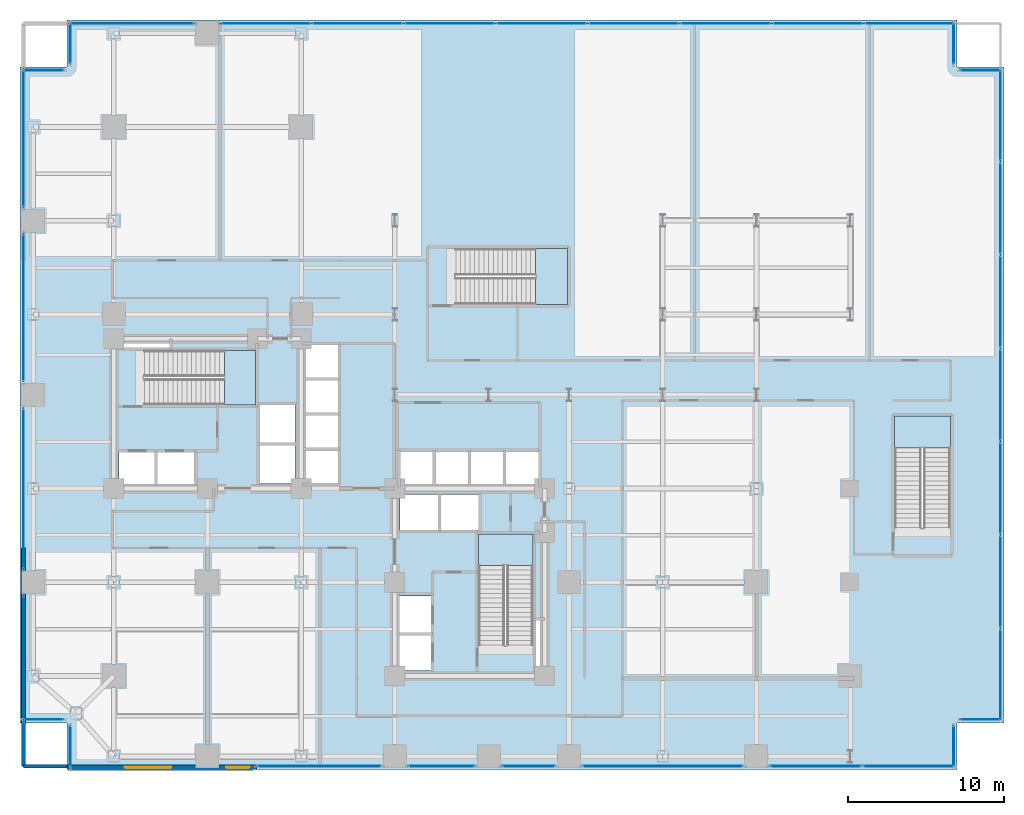
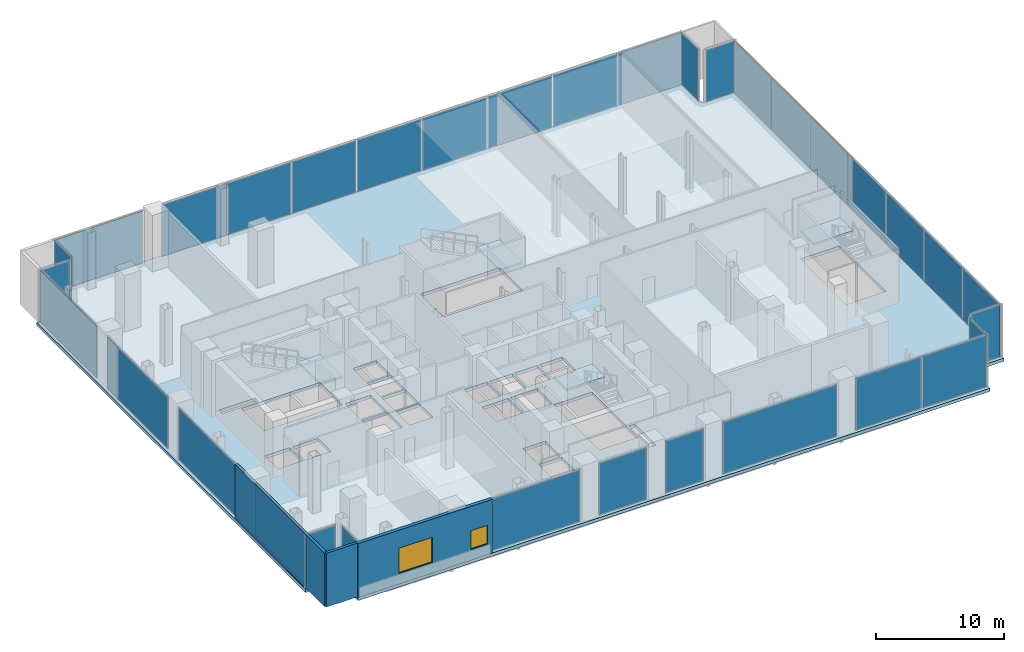
# One storey, part 20 of 27: 34 plates, 5 slabs, 3 walls, 2 windows, 2 openings, 24 elements without a shape of their own.
"""IFC4 building model written with IfcOpenShell, lengths in metres."""

import ifcopenshell
import ifcopenshell.guid

model = None  # the IFC model being written
_history = None  # IfcOwnerHistory: only IFC2X3 demands one
_inside = {}  # id of a spatial element -> (the spatial element, [elements in it])
_under = {}  # id of a project, library or spatial element -> (it, [spatial elements below it])
_declared = {}  # id of a project -> (the project, [libraries it declares])
_typed = {}  # id of a type object -> (the type object, [elements of that type])
_made_of = {}  # id of a material, layer set ... -> (it, [elements and type objects made of it])


def new_model(schema):
    """Start an empty IFC model of exactly this schema.

    Asked for "IFC4X3", IfcOpenShell would pick the latest addendum, in which some entities
    have other attributes; the version numbers below select the first issue.
    IFC2X3 requires an IfcOwnerHistory on every rooted entity: one is made here for all.
    """
    global model, _history
    if schema == "IFC4X3":
        model = ifcopenshell.file(schema_version=(4, 3, 0, 0))
    else:
        model = ifcopenshell.file(schema=schema)
    _inside.clear()
    _under.clear()
    _declared.clear()
    _typed.clear()
    _made_of.clear()
    _history = None
    if model.schema == "IFC2X3":
        org = make("IfcOrganization", Name="unknown")
        user = make(
            "IfcPersonAndOrganization",
            ThePerson=make("IfcPerson", FamilyName="unknown"),
            TheOrganization=org,
        )
        app = make(
            "IfcApplication",
            ApplicationDeveloper=org,
            Version="unknown",
            ApplicationFullName="unknown",
            ApplicationIdentifier="unknown",
        )
        _history = make(
            "IfcOwnerHistory",
            OwningUser=user,
            OwningApplication=app,
            ChangeAction="ADDED",
            CreationDate=0,
        )
    return model


def make(cls, **values):
    """One entity of the class cls with the attributes given. An attribute that is None is left unset."""
    return model.create_entity(
        cls, **{name: value for name, value in values.items() if value is not None}
    )


def rooted(cls, **values):
    """An entity with a GlobalId (a new one), such as an element, a storey or a relation."""
    return make(cls, GlobalId=ifcopenshell.guid.new(), OwnerHistory=_history, **values)


def si_unit(unit_type, name, prefix=None):
    """IfcSIUnit, for example si_unit("LENGTHUNIT", "METRE", prefix="MILLI")."""
    return make("IfcSIUnit", UnitType=unit_type, Prefix=prefix, Name=name)


def assignment(units):
    """IfcUnitAssignment: the units of a project."""
    return None if units is None else make("IfcUnitAssignment", Units=units)


def point(xyz):
    """IfcCartesianPoint."""
    return None if xyz is None else make("IfcCartesianPoint", Coordinates=xyz)


def direction(xyz):
    """IfcDirection."""
    return None if xyz is None else make("IfcDirection", DirectionRatios=xyz)


def frame(location, z_axis=None, x_axis=None):
    """IfcAxis2Placement3D, a coordinate frame: its origin and axes. An axis left out is left unset."""
    return make(
        "IfcAxis2Placement3D",
        Location=point(location),
        Axis=direction(z_axis),
        RefDirection=direction(x_axis),
    )


def frame_2d(location, x_axis=None):
    """IfcAxis2Placement2D, a coordinate frame in the plane: its origin and x axis."""
    return make(
        "IfcAxis2Placement2D", Location=point(location), RefDirection=direction(x_axis)
    )


def origin():
    """The frame at (0, 0, 0) with its axes left unset."""
    return frame((0.0, 0.0, 0.0))


def origin_2d():
    """The frame at (0, 0) in the plane with its x axis left unset."""
    return frame_2d((0.0, 0.0))


def place(relative_to, where):
    """IfcLocalPlacement: puts the frame where relative to a parent placement (None: the world)."""
    return make(
        "IfcLocalPlacement", PlacementRelTo=relative_to, RelativePlacement=where
    )


def context(
    kind, dimensions, precision=None, world=None, true_north=None, identifier=None
):
    """IfcGeometricRepresentationContext, for example the 3D "Model" context."""
    return make(
        "IfcGeometricRepresentationContext",
        ContextIdentifier=identifier,
        ContextType=kind,
        CoordinateSpaceDimension=dimensions,
        Precision=precision,
        WorldCoordinateSystem=world,
        TrueNorth=true_north,
    )


def subcontext(parent, identifier, kind, view, scale=None):
    """IfcGeometricRepresentationSubContext, for example "Body" below "Model"."""
    return make(
        "IfcGeometricRepresentationSubContext",
        ContextIdentifier=identifier,
        ContextType=kind,
        ParentContext=parent,
        TargetScale=scale,
        TargetView=view,
    )


def project(units=None, contexts=None):
    """IfcProject with its units and contexts."""
    return rooted(
        "IfcProject",
        Name="project",
        RepresentationContexts=contexts,
        UnitsInContext=assignment(units),
    )


def spatial(cls, under=None, at=None, **own):
    """A site, building, storey or space (cls), placed at a placement, below another one or the project."""
    s = rooted(cls, ObjectPlacement=at, **own)
    if under is not None:
        _under.setdefault(under.id(), (under, []))[1].append(s)
    return s


def polyline(points):
    """IfcPolyline through the points."""
    return make("IfcPolyline", Points=[point(p) for p in points])


def profile(cls, at=None, kind="AREA", **sizes):
    """A parametric profile (cls). Its sizes go by their IFC names, for example OverallWidth=200.0."""
    return make(cls, ProfileType=kind, Position=at, **sizes)


def rectangle(**sizes):
    """IfcRectangleProfileDef."""
    return profile("IfcRectangleProfileDef", **sizes)


def outline(outer, holes=None, kind="AREA"):
    """IfcArbitraryClosedProfileDef: a profile drawn as a closed curve; with holes, ...WithVoids."""
    if holes is None:
        return make("IfcArbitraryClosedProfileDef", ProfileType=kind, OuterCurve=outer)
    return make(
        "IfcArbitraryProfileDefWithVoids",
        ProfileType=kind,
        OuterCurve=outer,
        InnerCurves=holes,
    )


def extrude(swept, where, along, depth):
    """IfcExtrudedAreaSolid: the profile swept, set in the frame where, extruded along a direction by depth."""
    return make(
        "IfcExtrudedAreaSolid",
        SweptArea=swept,
        Position=where,
        ExtrudedDirection=direction(along),
        Depth=depth,
    )


def shape(context_of_items, identifier, shape_type, items):
    """IfcShapeRepresentation: the items that make up one representation, for example the "Body"."""
    return make(
        "IfcShapeRepresentation",
        ContextOfItems=context_of_items,
        RepresentationIdentifier=identifier,
        RepresentationType=shape_type,
        Items=items,
    )


def material(Name=None, Category=None):
    """IfcMaterial."""
    return make("IfcMaterial", Name=Name, Category=Category)


def layer(
    of_material, thickness, ventilated=None, Name=None, Category=None, Priority=None
):
    """IfcMaterialLayer: one layer of a wall or slab, of a material (None: an air gap)."""
    return make(
        "IfcMaterialLayer",
        Material=of_material,
        LayerThickness=thickness,
        IsVentilated=ventilated,
        Name=Name,
        Category=Category,
        Priority=Priority,
    )


def layer_set(layers, Name=None):
    """IfcMaterialLayerSet."""
    return make("IfcMaterialLayerSet", MaterialLayers=layers, LayerSetName=Name)


def made_of(thing, what):
    """Note that an element or type object is made of a material, layer set ...; save() writes the relation."""
    if what is not None:
        _made_of.setdefault(what.id(), (what, []))[1].append(thing)
    return thing


def type_object(cls, material=None, **own):
    """A type object (cls), such as IfcWallType, which elements share."""
    return made_of(rooted(cls, **own), material)


def element(
    cls,
    number,
    at=None,
    inside=None,
    cuts=None,
    type_object=None,
    material=None,
    context=None,
    identifier="Body",
    shape_type=None,
    held_by="IfcProductDefinitionShape",
    body=None,
    shapes=None,
    **own,
):
    """One element of the class cls, such as IfcWall. Its Tag is "e" and its number.

    at: its placement. inside: the storey or other place that contains it. cuts: it is an
    opening in that element (IfcRelVoidsElement). A single representation is given by context,
    identifier, shape_type and body (its items); several are given by shapes. held_by: the class
    of the entity that holds the representations. save() writes the other relations.
    """
    e = rooted(cls, Tag="e%d" % number, ObjectPlacement=at, **own)
    if body is not None:
        shapes = [shape(context, identifier, shape_type, body)]
    if shapes is not None:
        e.Representation = make(held_by, Representations=shapes)
    if inside is not None:
        _inside.setdefault(inside.id(), (inside, []))[1].append(e)
    if cuts is not None:
        rooted(
            "IfcRelVoidsElement", RelatingBuildingElement=cuts, RelatedOpeningElement=e
        )
    if type_object is not None:
        _typed.setdefault(type_object.id(), (type_object, []))[1].append(e)
    return made_of(e, material)


def fill(opening, filler):
    """IfcRelFillsElement: the door or window that sits in an opening."""
    return rooted(
        "IfcRelFillsElement",
        RelatingOpeningElement=opening,
        RelatedBuildingElement=filler,
    )


def aggregate(whole, parts):
    """IfcRelAggregates: a whole, such as a stair, and the parts it consists of."""
    return rooted("IfcRelAggregates", RelatingObject=whole, RelatedObjects=parts)


def save(model, path):
    """Write the relations noted so far, then the file.

    IfcRelAggregates (storeys below a building ...), IfcRelContainedInSpatialStructure (elements
    in a storey), IfcRelDefinesByType, IfcRelAssociatesMaterial and IfcRelDeclares: one each for
    every whole, place, type object, material and project.
    """
    for whole, parts in _under.values():
        aggregate(whole, parts)
    for where, things in _inside.values():
        rooted(
            "IfcRelContainedInSpatialStructure",
            RelatedElements=things,
            RelatingStructure=where,
        )
    for kind, things in _typed.values():
        rooted("IfcRelDefinesByType", RelatedObjects=things, RelatingType=kind)
    for what, things in _made_of.values():
        rooted("IfcRelAssociatesMaterial", RelatedObjects=things, RelatingMaterial=what)
    for by, libraries in _declared.values():
        rooted("IfcRelDeclares", RelatingContext=by, RelatedDefinitions=libraries)
    model.write(path)


model = new_model("IFC4")

# Units and contexts
model_context = context("Model", 3, precision=1e-05, world=origin(), true_north=direction((0.0, 1.0)))
body_context = subcontext(model_context, "Body", "Model", "MODEL_VIEW")
ifc_project = project(units=[si_unit("LENGTHUNIT", "METRE"), si_unit("AREAUNIT", "SQUARE_METRE"), si_unit("VOLUMEUNIT", "CUBIC_METRE"), si_unit("PLANEANGLEUNIT", "RADIAN"), si_unit("MASSUNIT", "GRAM", prefix="KILO"), si_unit("THERMODYNAMICTEMPERATUREUNIT", "KELVIN"), si_unit("POWERUNIT", "WATT")], contexts=[model_context])

# Site, building, storey
site_placement = place(None, origin())
site = spatial("IfcSite", under=ifc_project, at=site_placement, CompositionType="ELEMENT")
building_placement = place(site_placement, origin())
building = spatial("IfcBuilding", under=site, at=building_placement, Name="Svarakhadi Broadcast Tower", CompositionType="ELEMENT")
storey_placement = place(building_placement, frame((0.0, 0.0, 5.699951171875)))
storey = spatial("IfcBuildingStorey", under=building, at=storey_placement, Name="L01", CompositionType="ELEMENT", Elevation=5.699951171875)

# Curtain wall, plate
ifc_material_1 = material(Name="Anodised Bronze Aluminium AA 6063-T6", Category="aluminium")
ifc_layer_1 = layer(ifc_material_1, 0.25)
ifc_layer_set_1 = layer_set([ifc_layer_1], Name="Anodised Bronze Aluminium AA 6063-T6")
curtain_wall_type = type_object("IfcCurtainWallType", Name="CW_Sys_01", PredefinedType="NOTDEFINED", material=ifc_layer_set_1)
curtain_wall_1_placement = place(storey_placement, origin())
curtain_wall_1 = element("IfcCurtainWall", 1, at=curtain_wall_1_placement, inside=storey, type_object=curtain_wall_type, Name="L01 Unitised Facade Curtain Wall 01", PredefinedType="NOTDEFINED")
ifc_material_2 = material(Name="Double Low-E Laminated Acoustic Glass IGU 36 mm", Category="glass")
ifc_layer_2 = layer(ifc_material_2, 0.0380859375)
ifc_layer_set_2 = layer_set([ifc_layer_2], Name="Double Low-E Laminated Acoustic Glass IGU 36 mm")
plate_type = type_object("IfcPlateType", Name="CW_Sys_01_Pnl", PredefinedType="CURTAIN_PANEL", material=ifc_layer_set_2)
plate_1_placement = place(storey_placement, frame((1.5, 3.219970703125, 0.0849609375), z_axis=(0.0, 0.0, 1.0), x_axis=(-1.0, 0.0, 0.0)))
plate_1 = element("IfcPlate", 2, at=plate_1_placement, type_object=plate_type, Name="CW-01 panel 1.1", PredefinedType="CURTAIN_PANEL", context=body_context, shape_type="SweptSolid", body=[
    extrude(rectangle(XDim=2.6298828125, YDim=0.0380859375, at=origin_2d()), origin(), (0.0, 0.0, 1.0), 4.955078125),
])
aggregate(curtain_wall_1, [plate_1])

curtain_wall_2_placement = place(storey_placement, origin())
curtain_wall_2 = element("IfcCurtainWall", 3, at=curtain_wall_2_placement, inside=storey, type_object=curtain_wall_type, Name="L01 Unitised Facade Curtain Wall 02 Bay 1", PredefinedType="NOTDEFINED")
plate_2_placement = place(storey_placement, frame((0.219970703125, 7.159912109375, 0.0849609375), z_axis=(0.0, 0.0, 1.0), x_axis=(0.0, 1.0, 0.0)))
plate_2 = element("IfcPlate", 4, at=plate_2_placement, type_object=plate_type, Name="CW-01 panel 1.1", PredefinedType="CURTAIN_PANEL", context=body_context, shape_type="SweptSolid", body=[
    extrude(rectangle(XDim=7.949951171875, YDim=0.0380859375, at=origin_2d()), origin(), (0.0, 0.0, 1.0), 4.955078125),
])
aggregate(curtain_wall_2, [plate_2])

curtain_wall_3_placement = place(storey_placement, origin())
curtain_wall_3 = element("IfcCurtainWall", 5, at=curtain_wall_3_placement, inside=storey, type_object=curtain_wall_type, Name="L01 Unitised Facade Curtain Wall 02 Bay 2", PredefinedType="NOTDEFINED")
plate_3_placement = place(storey_placement, frame((0.219970703125, 18.0, 0.0849609375), z_axis=(0.0, 0.0, 1.0), x_axis=(0.0, 1.0, 0.0)))
plate_3 = element("IfcPlate", 6, at=plate_3_placement, type_object=plate_type, Name="CW-01 panel 1.1", PredefinedType="CURTAIN_PANEL", context=body_context, shape_type="SweptSolid", body=[
    extrude(rectangle(XDim=10.27001953125, YDim=0.0380859375, at=origin_2d()), origin(), (0.0, 0.0, 1.0), 4.955078125),
])
aggregate(curtain_wall_3, [plate_3])

curtain_wall_4_placement = place(storey_placement, origin())
curtain_wall_4 = element("IfcCurtainWall", 7, at=curtain_wall_4_placement, inside=storey, type_object=curtain_wall_type, Name="L01 Unitised Facade Curtain Wall 02 Bay 3", PredefinedType="NOTDEFINED")
plate_4_placement = place(storey_placement, frame((0.219970703125, 29.574951171875, 0.0849609375), z_axis=(0.0, 0.0, 1.0), x_axis=(0.0, 1.0, 0.0)))
plate_4 = element("IfcPlate", 8, at=plate_4_placement, type_object=plate_type, Name="CW-01 panel 1.1", PredefinedType="CURTAIN_PANEL", context=body_context, shape_type="SweptSolid", body=[
    extrude(rectangle(XDim=9.419921875, YDim=0.0380859375, at=origin_2d()), origin(), (0.0, 0.0, 1.0), 4.955078125),
])
aggregate(curtain_wall_4, [plate_4])

curtain_wall_5_placement = place(storey_placement, origin())
curtain_wall_5 = element("IfcCurtainWall", 9, at=curtain_wall_5_placement, inside=storey, type_object=curtain_wall_type, Name="L01 Unitised Facade Curtain Wall 02 Bay 4", PredefinedType="NOTDEFINED")
plate_5_placement = place(storey_placement, frame((0.219970703125, 40.4150390625, 0.0849609375), z_axis=(0.0, 0.0, 1.0), x_axis=(0.0, 1.0, 0.0)))
plate_5 = element("IfcPlate", 10, at=plate_5_placement, type_object=plate_type, Name="CW-01 panel 1.1", PredefinedType="CURTAIN_PANEL", context=body_context, shape_type="SweptSolid", body=[
    extrude(rectangle(XDim=8.800048828125, YDim=0.0380859375, at=origin_2d()), origin(), (0.0, 0.0, 1.0), 4.955078125),
])
aggregate(curtain_wall_5, [plate_5])

curtain_wall_6_placement = place(storey_placement, origin())
curtain_wall_6 = element("IfcCurtainWall", 11, at=curtain_wall_6_placement, inside=storey, type_object=curtain_wall_type, Name="L01 Unitised Facade Curtain Wall 03", PredefinedType="NOTDEFINED")
plate_6_placement = place(storey_placement, frame((1.5, 44.780029296875, 0.0849609375), z_axis=(0.0, 0.0, 1.0), x_axis=(1.0, 0.0, 0.0)))
plate_6 = element("IfcPlate", 12, at=plate_6_placement, type_object=plate_type, Name="CW-01 panel 1.1", PredefinedType="CURTAIN_PANEL", context=body_context, shape_type="SweptSolid", body=[
    extrude(rectangle(XDim=2.6298828125, YDim=0.0380859375, at=origin_2d()), origin(), (0.0, 0.0, 1.0), 4.955078125),
])
aggregate(curtain_wall_6, [plate_6])

curtain_wall_7_placement = place(storey_placement, origin())
curtain_wall_7 = element("IfcCurtainWall", 13, at=curtain_wall_7_placement, inside=storey, type_object=curtain_wall_type, Name="L01 Unitised Facade Curtain Wall 04", PredefinedType="NOTDEFINED")
plate_7_placement = place(storey_placement, frame((3.219970703125, 46.5, 0.0849609375), z_axis=(0.0, 0.0, 1.0), x_axis=(0.0, 1.0, 0.0)))
plate_7 = element("IfcPlate", 14, at=plate_7_placement, type_object=plate_type, Name="CW-01 panel 1.1", PredefinedType="CURTAIN_PANEL", context=body_context, shape_type="SweptSolid", body=[
    extrude(rectangle(XDim=2.6298828125, YDim=0.0380859375, at=origin_2d()), origin(), (0.0, 0.0, 1.0), 4.955078125),
])
aggregate(curtain_wall_7, [plate_7])

curtain_wall_8_placement = place(storey_placement, origin())
curtain_wall_8 = element("IfcCurtainWall", 15, at=curtain_wall_8_placement, inside=storey, type_object=curtain_wall_type, Name="L01 Unitised Facade Curtain Wall 05 Bay 1", PredefinedType="NOTDEFINED")
plate_8_placement = place(storey_placement, frame((7.159912109375, 47.780029296875, 0.0849609375), z_axis=(0.0, 0.0, 1.0), x_axis=(1.0, 0.0, 0.0)))
plate_8 = element("IfcPlate", 16, at=plate_8_placement, type_object=plate_type, Name="CW-01 panel 1.1", PredefinedType="CURTAIN_PANEL", context=body_context, shape_type="SweptSolid", body=[
    extrude(rectangle(XDim=7.949951171875, YDim=0.0380859375, at=origin_2d()), origin(), (0.0, 0.0, 1.0), 4.955078125),
])
aggregate(curtain_wall_8, [plate_8])

# Curtain wall, plates
curtain_wall_9_placement = place(storey_placement, origin())
curtain_wall_9 = element("IfcCurtainWall", 17, at=curtain_wall_9_placement, inside=storey, type_object=curtain_wall_type, Name="L01 Unitised Facade Curtain Wall 05 Bay 2", PredefinedType="NOTDEFINED")
plate_9_placement = place(storey_placement, frame((15.739990234375, 47.780029296875, 0.0849609375), z_axis=(0.0, 0.0, 1.0), x_axis=(1.0, 0.0, 0.0)))
plate_9 = element("IfcPlate", 18, at=plate_9_placement, type_object=plate_type, Name="CW-01 panel 1.1", PredefinedType="CURTAIN_PANEL", context=body_context, shape_type="SweptSolid", body=[
    extrude(rectangle(XDim=5.75, YDim=0.0380859375, at=origin_2d()), origin(), (0.0, 0.0, 1.0), 4.955078125),
])
plate_10_placement = place(storey_placement, frame((21.608642578125, 47.780029296875, 0.0849609375), z_axis=(0.0, 0.0, 1.0), x_axis=(1.0, 0.0, 0.0)))
plate_10 = element("IfcPlate", 19, at=plate_10_placement, type_object=plate_type, Name="CW-01 panel 2.1", PredefinedType="CURTAIN_PANEL", context=body_context, shape_type="SweptSolid", body=[
    extrude(rectangle(XDim=5.797607421875, YDim=0.0380859375, at=origin_2d()), origin(), (0.0, 0.0, 1.0), 4.955078125),
])
plate_11_placement = place(storey_placement, frame((27.501220703125, 47.780029296875, 0.0849609375), z_axis=(0.0, 0.0, 1.0), x_axis=(1.0, 0.0, 0.0)))
plate_11 = element("IfcPlate", 20, at=plate_11_placement, type_object=plate_type, Name="CW-01 panel 3.1", PredefinedType="CURTAIN_PANEL", context=body_context, shape_type="SweptSolid", body=[
    extrude(rectangle(XDim=5.797607421875, YDim=0.0380859375, at=origin_2d()), origin(), (0.0, 0.0, 1.0), 4.955078125),
])
plate_12_placement = place(storey_placement, frame((33.393798828125, 47.780029296875, 0.0849609375), z_axis=(0.0, 0.0, 1.0), x_axis=(1.0, 0.0, 0.0)))
plate_12 = element("IfcPlate", 21, at=plate_12_placement, type_object=plate_type, Name="CW-01 panel 4.1", PredefinedType="CURTAIN_PANEL", context=body_context, shape_type="SweptSolid", body=[
    extrude(rectangle(XDim=5.797607421875, YDim=0.0380859375, at=origin_2d()), origin(), (0.0, 0.0, 1.0), 4.955078125),
])
plate_13_placement = place(storey_placement, frame((39.2861328125, 47.780029296875, 0.0849609375), z_axis=(0.0, 0.0, 1.0), x_axis=(1.0, 0.0, 0.0)))
plate_13 = element("IfcPlate", 22, at=plate_13_placement, type_object=plate_type, Name="CW-01 panel 5.1", PredefinedType="CURTAIN_PANEL", context=body_context, shape_type="SweptSolid", body=[
    extrude(rectangle(XDim=5.797607421875, YDim=0.0380859375, at=origin_2d()), origin(), (0.0, 0.0, 1.0), 4.955078125),
])
plate_14_placement = place(storey_placement, frame((45.1787109375, 47.780029296875, 0.0849609375), z_axis=(0.0, 0.0, 1.0), x_axis=(1.0, 0.0, 0.0)))
plate_14 = element("IfcPlate", 23, at=plate_14_placement, type_object=plate_type, Name="CW-01 panel 6.1", PredefinedType="CURTAIN_PANEL", context=body_context, shape_type="SweptSolid", body=[
    extrude(rectangle(XDim=5.797607421875, YDim=0.0380859375, at=origin_2d()), origin(), (0.0, 0.0, 1.0), 4.955078125),
])
plate_15_placement = place(storey_placement, frame((51.0712890625, 47.780029296875, 0.0849609375), z_axis=(0.0, 0.0, 1.0), x_axis=(1.0, 0.0, 0.0)))
plate_15 = element("IfcPlate", 24, at=plate_15_placement, type_object=plate_type, Name="CW-01 panel 7.1", PredefinedType="CURTAIN_PANEL", context=body_context, shape_type="SweptSolid", body=[
    extrude(rectangle(XDim=5.797607421875, YDim=0.0380859375, at=origin_2d()), origin(), (0.0, 0.0, 1.0), 4.955078125),
])
plate_16_placement = place(storey_placement, frame((56.93994140625, 47.780029296875, 0.0849609375), z_axis=(0.0, 0.0, 1.0), x_axis=(1.0, 0.0, 0.0)))
plate_16 = element("IfcPlate", 25, at=plate_16_placement, type_object=plate_type, Name="CW-01 panel 8.1", PredefinedType="CURTAIN_PANEL", context=body_context, shape_type="SweptSolid", body=[
    extrude(rectangle(XDim=5.75, YDim=0.0380859375, at=origin_2d()), origin(), (0.0, 0.0, 1.0), 4.955078125),
])
aggregate(curtain_wall_9, [plate_9, plate_10, plate_11, plate_12, plate_13, plate_14, plate_15, plate_16])

# Curtain wall, plate
curtain_wall_10_placement = place(storey_placement, origin())
curtain_wall_10 = element("IfcCurtainWall", 26, at=curtain_wall_10_placement, inside=storey, type_object=curtain_wall_type, Name="L01 Unitised Facade Curtain Wall 06", PredefinedType="NOTDEFINED")
plate_17_placement = place(storey_placement, frame((59.780029296875, 46.5, 0.0849609375), z_axis=(0.0, 0.0, 1.0), x_axis=(0.0, -1.0, 0.0)))
plate_17 = element("IfcPlate", 27, at=plate_17_placement, type_object=plate_type, Name="CW-01 panel 1.1", PredefinedType="CURTAIN_PANEL", context=body_context, shape_type="SweptSolid", body=[
    extrude(rectangle(XDim=2.6298828125, YDim=0.0380859375, at=origin_2d()), origin(), (0.0, 0.0, 1.0), 4.955078125),
])
aggregate(curtain_wall_10, [plate_17])

curtain_wall_11_placement = place(storey_placement, origin())
curtain_wall_11 = element("IfcCurtainWall", 28, at=curtain_wall_11_placement, inside=storey, type_object=curtain_wall_type, Name="L01 Unitised Facade Curtain Wall 07", PredefinedType="NOTDEFINED")
plate_18_placement = place(storey_placement, frame((61.5, 44.780029296875, 0.0849609375), z_axis=(0.0, 0.0, 1.0), x_axis=(1.0, 0.0, 0.0)))
plate_18 = element("IfcPlate", 29, at=plate_18_placement, type_object=plate_type, Name="CW-01 panel 1.1", PredefinedType="CURTAIN_PANEL", context=body_context, shape_type="SweptSolid", body=[
    extrude(rectangle(XDim=2.6298828125, YDim=0.0380859375, at=origin_2d()), origin(), (0.0, 0.0, 1.0), 4.955078125),
])
aggregate(curtain_wall_11, [plate_18])

# Curtain wall, plates
curtain_wall_12_placement = place(storey_placement, origin())
curtain_wall_12 = element("IfcCurtainWall", 30, at=curtain_wall_12_placement, inside=storey, type_object=curtain_wall_type, Name="L01 Unitised Facade Curtain Wall 08", PredefinedType="NOTDEFINED")
plate_19_placement = place(storey_placement, frame((62.780029296875, 41.899169921875, 0.0849609375), z_axis=(0.0, 0.0, 1.0), x_axis=(0.0, -1.0, 0.0)))
plate_19 = element("IfcPlate", 31, at=plate_19_placement, type_object=plate_type, Name="CW-01 panel 1.1", PredefinedType="CURTAIN_PANEL", context=body_context, shape_type="SweptSolid", body=[
    extrude(rectangle(XDim=5.831787109375, YDim=0.0380859375, at=origin_2d()), origin(), (0.0, 0.0, 1.0), 4.955078125),
])
plate_20_placement = place(storey_placement, frame((62.780029296875, 35.948486328125, 0.0849609375), z_axis=(0.0, 0.0, 1.0), x_axis=(0.0, -1.0, 0.0)))
plate_20 = element("IfcPlate", 32, at=plate_20_placement, type_object=plate_type, Name="CW-01 panel 2.1", PredefinedType="CURTAIN_PANEL", context=body_context, shape_type="SweptSolid", body=[
    extrude(rectangle(XDim=5.87939453125, YDim=0.0380859375, at=origin_2d()), origin(), (0.0, 0.0, 1.0), 4.955078125),
])
plate_21_placement = place(storey_placement, frame((62.780029296875, 29.974365234375, 0.0849609375), z_axis=(0.0, 0.0, 1.0), x_axis=(0.0, -1.0, 0.0)))
plate_21 = element("IfcPlate", 33, at=plate_21_placement, type_object=plate_type, Name="CW-01 panel 3.1", PredefinedType="CURTAIN_PANEL", context=body_context, shape_type="SweptSolid", body=[
    extrude(rectangle(XDim=5.87939453125, YDim=0.0380859375, at=origin_2d()), origin(), (0.0, 0.0, 1.0), 4.955078125),
])
plate_22_placement = place(storey_placement, frame((62.780029296875, 24.0, 0.0849609375), z_axis=(0.0, 0.0, 1.0), x_axis=(0.0, -1.0, 0.0)))
plate_22 = element("IfcPlate", 34, at=plate_22_placement, type_object=plate_type, Name="CW-01 panel 4.1", PredefinedType="CURTAIN_PANEL", context=body_context, shape_type="SweptSolid", body=[
    extrude(rectangle(XDim=5.87939453125, YDim=0.0380859375, at=origin_2d()), origin(), (0.0, 0.0, 1.0), 4.955078125),
])
plate_23_placement = place(storey_placement, frame((62.780029296875, 18.025634765625, 0.0849609375), z_axis=(0.0, 0.0, 1.0), x_axis=(0.0, -1.0, 0.0)))
plate_23 = element("IfcPlate", 35, at=plate_23_placement, type_object=plate_type, Name="CW-01 panel 5.1", PredefinedType="CURTAIN_PANEL", context=body_context, shape_type="SweptSolid", body=[
    extrude(rectangle(XDim=5.87939453125, YDim=0.0380859375, at=origin_2d()), origin(), (0.0, 0.0, 1.0), 4.955078125),
])
plate_24_placement = place(storey_placement, frame((62.780029296875, 12.051513671875, 0.0849609375), z_axis=(0.0, 0.0, 1.0), x_axis=(0.0, -1.0, 0.0)))
plate_24 = element("IfcPlate", 36, at=plate_24_placement, type_object=plate_type, Name="CW-01 panel 6.1", PredefinedType="CURTAIN_PANEL", context=body_context, shape_type="SweptSolid", body=[
    extrude(rectangle(XDim=5.87939453125, YDim=0.0380859375, at=origin_2d()), origin(), (0.0, 0.0, 1.0), 4.955078125),
])
plate_25_placement = place(storey_placement, frame((62.780029296875, 6.100830078125, 0.0849609375), z_axis=(0.0, 0.0, 1.0), x_axis=(0.0, -1.0, 0.0)))
plate_25 = element("IfcPlate", 37, at=plate_25_placement, type_object=plate_type, Name="CW-01 panel 7.1", PredefinedType="CURTAIN_PANEL", context=body_context, shape_type="SweptSolid", body=[
    extrude(rectangle(XDim=5.831787109375, YDim=0.0380859375, at=origin_2d()), origin(), (0.0, 0.0, 1.0), 4.955078125),
])
aggregate(curtain_wall_12, [plate_19, plate_20, plate_21, plate_22, plate_23, plate_24, plate_25])

# Curtain wall, plate
curtain_wall_13_placement = place(storey_placement, origin())
curtain_wall_13 = element("IfcCurtainWall", 38, at=curtain_wall_13_placement, inside=storey, type_object=curtain_wall_type, Name="L01 Unitised Facade Curtain Wall 09", PredefinedType="NOTDEFINED")
plate_26_placement = place(storey_placement, frame((61.5, 3.219970703125, 0.0849609375), z_axis=(0.0, 0.0, 1.0), x_axis=(-1.0, 0.0, 0.0)))
plate_26 = element("IfcPlate", 39, at=plate_26_placement, type_object=plate_type, Name="CW-01 panel 1.1", PredefinedType="CURTAIN_PANEL", context=body_context, shape_type="SweptSolid", body=[
    extrude(rectangle(XDim=2.6298828125, YDim=0.0380859375, at=origin_2d()), origin(), (0.0, 0.0, 1.0), 4.955078125),
])
aggregate(curtain_wall_13, [plate_26])

curtain_wall_14_placement = place(storey_placement, origin())
curtain_wall_14 = element("IfcCurtainWall", 40, at=curtain_wall_14_placement, inside=storey, type_object=curtain_wall_type, Name="L01 Unitised Facade Curtain Wall 10", PredefinedType="NOTDEFINED")
plate_27_placement = place(storey_placement, frame((59.780029296875, 1.5, 0.0849609375), z_axis=(0.0, 0.0, 1.0), x_axis=(0.0, -1.0, 0.0)))
plate_27 = element("IfcPlate", 41, at=plate_27_placement, type_object=plate_type, Name="CW-01 panel 1.1", PredefinedType="CURTAIN_PANEL", context=body_context, shape_type="SweptSolid", body=[
    extrude(rectangle(XDim=2.6298828125, YDim=0.0380859375, at=origin_2d()), origin(), (0.0, 0.0, 1.0), 4.955078125),
])
aggregate(curtain_wall_14, [plate_27])

# Curtain wall, plates
curtain_wall_15_placement = place(storey_placement, origin())
curtain_wall_15 = element("IfcCurtainWall", 42, at=curtain_wall_15_placement, inside=storey, type_object=curtain_wall_type, Name="L01 South Curtain Wall 11 Bay 1", PredefinedType="NOTDEFINED")
plate_28_placement = place(storey_placement, frame((56.888671875, 0.219970703125, 0.0849609375), z_axis=(0.0, 0.0, 1.0), x_axis=(-1.0, 0.0, 0.0)))
plate_28 = element("IfcPlate", 43, at=plate_28_placement, type_object=plate_type, Name="CW-01 panel 1.1", PredefinedType="CURTAIN_PANEL", context=body_context, shape_type="SweptSolid", body=[
    extrude(rectangle(XDim=5.8525390625, YDim=0.0380859375, at=origin_2d()), origin(), (0.0, 0.0, 1.0), 4.955078125),
])
plate_29_placement = place(storey_placement, frame((50.941162109375, 0.219970703125, 0.0849609375), z_axis=(0.0, 0.0, 1.0), x_axis=(-1.0, 0.0, 0.0)))
plate_29 = element("IfcPlate", 44, at=plate_29_placement, type_object=plate_type, Name="CW-01 panel 2.1", PredefinedType="CURTAIN_PANEL", context=body_context, shape_type="SweptSolid", body=[
    extrude(rectangle(XDim=5.8525390625, YDim=0.0380859375, at=origin_2d()), origin(), (0.0, 0.0, 1.0), 4.955078125),
])
aggregate(curtain_wall_15, [plate_28, plate_29])

# Curtain wall, plate
curtain_wall_16_placement = place(storey_placement, origin())
curtain_wall_16 = element("IfcCurtainWall", 45, at=curtain_wall_16_placement, inside=storey, type_object=curtain_wall_type, Name="L01 South Curtain Wall 11 Bay 2", PredefinedType="NOTDEFINED")
plate_30_placement = place(storey_placement, frame((41.14990234375, 0.219970703125, 0.0849609375), z_axis=(0.0, 0.0, 1.0), x_axis=(-1.0, 0.0, 0.0)))
plate_30 = element("IfcPlate", 46, at=plate_30_placement, type_object=plate_type, Name="CW-01 panel 1.1", PredefinedType="CURTAIN_PANEL", context=body_context, shape_type="SweptSolid", body=[
    extrude(rectangle(XDim=10.27001953125, YDim=0.0380859375, at=origin_2d()), origin(), (0.0, 0.0, 1.0), 4.955078125),
])
aggregate(curtain_wall_16, [plate_30])

curtain_wall_17_placement = place(storey_placement, origin())
curtain_wall_17 = element("IfcCurtainWall", 47, at=curtain_wall_17_placement, inside=storey, type_object=curtain_wall_type, Name="L01 South Curtain Wall 11 Bay 3", PredefinedType="NOTDEFINED")
plate_31_placement = place(storey_placement, frame((32.574951171875, 0.219970703125, 0.0849609375), z_axis=(0.0, 0.0, 1.0), x_axis=(-1.0, 0.0, 0.0)))
plate_31 = element("IfcPlate", 48, at=plate_31_placement, type_object=plate_type, Name="CW-01 panel 1.1", PredefinedType="CURTAIN_PANEL", context=body_context, shape_type="SweptSolid", body=[
    extrude(rectangle(XDim=3.419921875, YDim=0.0380859375, at=origin_2d()), origin(), (0.0, 0.0, 1.0), 4.955078125),
])
aggregate(curtain_wall_17, [plate_31])

curtain_wall_18_placement = place(storey_placement, origin())
curtain_wall_18 = element("IfcCurtainWall", 49, at=curtain_wall_18_placement, inside=storey, type_object=curtain_wall_type, Name="L01 South Curtain Wall 11 Bay 4", PredefinedType="NOTDEFINED")
plate_32_placement = place(storey_placement, frame((27.0, 0.219970703125, 0.0849609375), z_axis=(0.0, 0.0, 1.0), x_axis=(-1.0, 0.0, 0.0)))
plate_32 = element("IfcPlate", 50, at=plate_32_placement, type_object=plate_type, Name="CW-01 panel 1.1", PredefinedType="CURTAIN_PANEL", context=body_context, shape_type="SweptSolid", body=[
    extrude(rectangle(XDim=4.27001953125, YDim=0.0380859375, at=origin_2d()), origin(), (0.0, 0.0, 1.0), 4.955078125),
])
aggregate(curtain_wall_18, [plate_32])

curtain_wall_19_placement = place(storey_placement, origin())
curtain_wall_19 = element("IfcCurtainWall", 51, at=curtain_wall_19_placement, inside=storey, type_object=curtain_wall_type, Name="L01 South Curtain Wall 11 Bay 5", PredefinedType="NOTDEFINED")
plate_33_placement = place(storey_placement, frame((19.159912109375, 0.219970703125, 0.0849609375), z_axis=(0.0, 0.0, 1.0), x_axis=(-1.0, 0.0, 0.0)))
plate_33 = element("IfcPlate", 52, at=plate_33_placement, type_object=plate_type, Name="CW-01 panel 1.1", PredefinedType="CURTAIN_PANEL", context=body_context, shape_type="SweptSolid", body=[
    extrude(rectangle(XDim=7.949951171875, YDim=0.0380859375, at=origin_2d()), origin(), (0.0, 0.0, 1.0), 4.955078125),
])
aggregate(curtain_wall_19, [plate_33])

curtain_wall_20_placement = place(storey_placement, origin())
curtain_wall_20 = element("IfcCurtainWall", 53, at=curtain_wall_20_placement, inside=storey, type_object=curtain_wall_type, Name="L01 Unitised Facade Curtain Wall 12", PredefinedType="NOTDEFINED")
plate_34_placement = place(storey_placement, frame((3.219970703125, 1.5, 0.0849609375), z_axis=(0.0, 0.0, 1.0), x_axis=(0.0, 1.0, 0.0)))
plate_34 = element("IfcPlate", 54, at=plate_34_placement, type_object=plate_type, Name="CW-01 panel 1.1", PredefinedType="CURTAIN_PANEL", context=body_context, shape_type="SweptSolid", body=[
    extrude(rectangle(XDim=2.6298828125, YDim=0.0380859375, at=origin_2d()), origin(), (0.0, 0.0, 1.0), 4.955078125),
])
aggregate(curtain_wall_20, [plate_34])

# Slab
ifc_material_3 = material(Name="Concrete C40/50 (IS 456 M50)", Category="concrete")
ifc_layer_3 = layer(ifc_material_3, 0.300048828125)
ifc_layer_set_3 = layer_set([ifc_layer_3], Name="Concrete C40/50 (IS 456 M50)")
slab_type_1 = type_object("IfcSlabType", Name="Slab_Floor_300", PredefinedType="FLOOR", material=ifc_layer_set_3)
slab_1_placement = place(storey_placement, frame((0.0, 0.0, -0.300048828125)))
element("IfcSlab", 55, at=slab_1_placement, inside=storey, type_object=slab_type_1, Name="L01 Structural Floor Slab", PredefinedType="FLOOR", context=body_context, shape_type="SweptSolid", body=[
    extrude(outline(polyline([(3.0, 0.0), (60.0, 0.0), (60.0, 3.0), (63.0, 3.0), (63.0, 45.0), (60.0, 45.0), (60.0, 48.0), (3.0, 48.0), (3.0, 45.0), (0.0, 45.0), (0.0, 3.0), (3.0, 3.0), (3.0, 0.0)]), holes=[polyline([(7.97998046875, 23.360107421875), (15.080078125, 23.360107421875), (15.080078125, 26.840087890625), (7.97998046875, 26.840087890625), (7.97998046875, 23.360107421875)]), polyline([(32.840087890625, 7.97998046875), (32.840087890625, 15.080078125), (29.360107421875, 15.080078125), (29.360107421875, 7.97998046875), (32.840087890625, 7.97998046875)]), polyline([(27.89990234375, 29.800048828125), (35.050048828125, 29.800048828125), (35.050048828125, 33.360107421875), (27.89990234375, 33.360107421875), (27.89990234375, 29.800048828125)]), polyline([(59.56005859375, 15.5), (59.56005859375, 22.64990234375), (56.0, 22.64990234375), (56.0, 15.5), (59.56005859375, 15.5)]), polyline([(6.340087890625, 18.2900390625), (8.610107421875, 18.2900390625), (8.610107421875, 20.330078125), (6.340087890625, 20.330078125), (6.340087890625, 18.2900390625)]), polyline([(8.7900390625, 18.2900390625), (11.1298828125, 18.2900390625), (11.1298828125, 20.330078125), (8.7900390625, 20.330078125), (8.7900390625, 18.2900390625)]), polyline([(24.2900390625, 6.340087890625), (26.330078125, 6.340087890625), (26.330078125, 8.610107421875), (24.2900390625, 8.610107421875), (24.2900390625, 6.340087890625)]), polyline([(24.2900390625, 8.7900390625), (26.330078125, 8.7900390625), (26.330078125, 11.1298828125), (24.2900390625, 11.1298828125), (24.2900390625, 8.7900390625)]), polyline([(6.340087890625, 26.989990234375), (9.610107421875, 26.989990234375), (9.610107421875, 27.530029296875), (6.340087890625, 27.530029296875), (6.340087890625, 26.989990234375)]), polyline([(32.989990234375, 6.340087890625), (33.530029296875, 6.340087890625), (33.530029296875, 9.610107421875), (32.989990234375, 9.610107421875), (32.989990234375, 6.340087890625)]), polyline([(15.340087890625, 18.340087890625), (17.610107421875, 18.340087890625), (17.610107421875, 20.760009765625), (15.340087890625, 20.760009765625), (15.340087890625, 18.340087890625)]), polyline([(15.340087890625, 20.93994140625), (17.610107421875, 20.93994140625), (17.610107421875, 23.360107421875), (15.340087890625, 23.360107421875), (15.340087890625, 20.93994140625)]), polyline([(24.340087890625, 15.340087890625), (26.760009765625, 15.340087890625), (26.760009765625, 17.610107421875), (24.340087890625, 17.610107421875), (24.340087890625, 15.340087890625)]), polyline([(26.93994140625, 15.340087890625), (29.360107421875, 15.340087890625), (29.360107421875, 17.610107421875), (26.93994140625, 17.610107421875), (26.93994140625, 15.340087890625)]), polyline([(18.239990234375, 18.340087890625), (20.360107421875, 18.340087890625), (20.360107421875, 20.429931640625), (18.239990234375, 20.429931640625), (18.239990234375, 18.340087890625)]), polyline([(18.239990234375, 20.610107421875), (20.360107421875, 20.610107421875), (20.360107421875, 22.679931640625), (18.239990234375, 22.679931640625), (18.239990234375, 20.610107421875)]), polyline([(18.239990234375, 22.860107421875), (20.360107421875, 22.860107421875), (20.360107421875, 24.929931640625), (18.239990234375, 24.929931640625), (18.239990234375, 22.860107421875)]), polyline([(18.239990234375, 25.110107421875), (20.360107421875, 25.110107421875), (20.360107421875, 27.2099609375), (18.239990234375, 27.2099609375), (18.239990234375, 25.110107421875)]), polyline([(24.340087890625, 18.239990234375), (26.429931640625, 18.239990234375), (26.429931640625, 20.360107421875), (24.340087890625, 20.360107421875), (24.340087890625, 18.239990234375)]), polyline([(26.610107421875, 18.239990234375), (28.679931640625, 18.239990234375), (28.679931640625, 20.360107421875), (26.610107421875, 20.360107421875), (26.610107421875, 18.239990234375)]), polyline([(28.860107421875, 18.239990234375), (30.929931640625, 18.239990234375), (30.929931640625, 20.360107421875), (28.860107421875, 20.360107421875), (28.860107421875, 18.239990234375)]), polyline([(31.110107421875, 18.239990234375), (33.2099609375, 18.239990234375), (33.2099609375, 20.360107421875), (31.110107421875, 20.360107421875), (31.110107421875, 18.239990234375)])]), origin(), (0.0, 0.0, 1.0), 0.300048828125),
])

# Stair, slab
stair_type_1 = type_object("IfcStairType", Name="Stair_Exit_Core", PredefinedType="HALF_TURN_STAIR", material=ifc_material_3)
stair_1_placement = place(storey_placement, origin())
stair_1 = element("IfcStair", 56, at=stair_1_placement, inside=storey, type_object=stair_type_1, Name="L01 West Core Protected Exit Stair ST-01", PredefinedType="HALF_TURN_STAIR")
ifc_layer_4 = layer(ifc_material_3, 0.199951171875)
ifc_layer_set_4 = layer_set([ifc_layer_4], Name="Concrete C40/50 (IS 456 M50)")
slab_type_2 = type_object("IfcSlabType", Name="Slab_Stair_Land", PredefinedType="LANDING", material=ifc_layer_set_4)
slab_2_placement = place(storey_placement, frame((0.0, 0.0, 2.5)))
slab_2 = element("IfcSlab", 57, at=slab_2_placement, type_object=slab_type_2, Name="ST-01 landing 1", PredefinedType="LANDING", context=body_context, shape_type="SweptSolid", body=[
    extrude(outline(polyline([(13.080078125, 23.360107421875), (15.080078125, 23.360107421875), (15.080078125, 26.840087890625), (13.080078125, 26.840087890625), (13.080078125, 23.360107421875)])), origin(), (0.0, 0.0, 1.0), 0.199951171875),
])
aggregate(stair_1, [slab_2])

stair_2_placement = place(storey_placement, origin())
stair_2 = element("IfcStair", 58, at=stair_2_placement, inside=storey, type_object=stair_type_1, Name="L01 East Core Protected Exit Stair ST-02", PredefinedType="HALF_TURN_STAIR")
slab_3_placement = place(storey_placement, frame((0.0, 0.0, 2.5)))
slab_3 = element("IfcSlab", 59, at=slab_3_placement, type_object=slab_type_2, Name="ST-02 landing 1", PredefinedType="LANDING", context=body_context, shape_type="SweptSolid", body=[
    extrude(outline(polyline([(32.840087890625, 13.080078125), (32.840087890625, 15.080078125), (29.360107421875, 15.080078125), (29.360107421875, 13.080078125), (32.840087890625, 13.080078125)])), origin(), (0.0, 0.0, 1.0), 0.199951171875),
])
aggregate(stair_2, [slab_3])

stair_type_2 = type_object("IfcStairType", Name="Stair_Exit_Pod", PredefinedType="HALF_TURN_STAIR", material=ifc_material_3)
stair_3_placement = place(storey_placement, origin())
stair_3 = element("IfcStair", 60, at=stair_3_placement, inside=storey, type_object=stair_type_2, Name="L01 Podium Concourse Broadcast Exit Stair ST-03", PredefinedType="HALF_TURN_STAIR")
slab_4_placement = place(storey_placement, frame((0.0, 0.0, 2.5)))
slab_4 = element("IfcSlab", 61, at=slab_4_placement, type_object=slab_type_2, Name="ST-03 landing 1", PredefinedType="LANDING", context=body_context, shape_type="SweptSolid", body=[
    extrude(outline(polyline([(33.0, 29.800048828125), (35.050048828125, 29.800048828125), (35.050048828125, 33.360107421875), (33.0, 33.360107421875), (33.0, 29.800048828125)])), origin(), (0.0, 0.0, 1.0), 0.199951171875),
])
aggregate(stair_3, [slab_4])

stair_4_placement = place(storey_placement, origin())
stair_4 = element("IfcStair", 62, at=stair_4_placement, inside=storey, type_object=stair_type_2, Name="L01 Podium East Broadcast Exit Stair ST-04", PredefinedType="HALF_TURN_STAIR")
slab_5_placement = place(storey_placement, frame((0.0, 0.0, 2.5)))
slab_5 = element("IfcSlab", 63, at=slab_5_placement, type_object=slab_type_2, Name="ST-04 landing 1", PredefinedType="LANDING", context=body_context, shape_type="SweptSolid", body=[
    extrude(outline(polyline([(59.56005859375, 20.60009765625), (59.56005859375, 22.64990234375), (56.0, 22.64990234375), (56.0, 20.60009765625), (59.56005859375, 20.60009765625)])), origin(), (0.0, 0.0, 1.0), 0.199951171875),
])
aggregate(stair_4, [slab_5])

# Walls
ifc_material_4 = material(Name="Double-Stud Acoustic Studio Partition STC-62", Category="gypsum")
ifc_layer_5 = layer(ifc_material_4, 0.25)
ifc_layer_set_5 = layer_set([ifc_layer_5], Name="Double-Stud Acoustic Studio Partition STC-62")
wall_type_1 = type_object("IfcWallType", Name="Wall_Acoust_250", PredefinedType="PARTITIONING", material=ifc_layer_set_5)
wall_1_placement = place(storey_placement, frame((0.219970703125, 0.219970703125, 0.0), z_axis=(0.0, 0.0, 1.0), x_axis=(1.0, 0.0, 0.0)))
element("IfcWall", 64, at=wall_1_placement, inside=storey, type_object=wall_type_1, Name="L01 L01 Master Control Broadcast Room Wall", PredefinedType="PARTITIONING", context=body_context, shape_type="SweptSolid", body=[
    extrude(rectangle(XDim=2.780029296875, YDim=0.25, at=frame_2d((1.39013671875, 0.0))), origin(), (0.0, 0.0, 1.0), 5.125),
])
wall_2_placement = place(storey_placement, frame((0.219970703125, 0.219970703125, 0.0), z_axis=(0.0, 0.0, 1.0), x_axis=(0.0, 1.0, 0.0)))
element("IfcWall", 65, at=wall_2_placement, inside=storey, type_object=wall_type_1, Name="L01 L01 Master Control Broadcast Room Wall", PredefinedType="PARTITIONING", context=body_context, shape_type="SweptSolid", body=[
    extrude(rectangle(XDim=13.97998046875, YDim=0.25, at=frame_2d((6.989990234375, 0.0))), origin(), (0.0, 0.0, 1.0), 5.125),
])

# Wall, openings, windows
ifc_layer_6 = layer(ifc_material_3, 0.300048828125)
ifc_layer_set_6 = layer_set([ifc_layer_6], Name="Concrete C40/50 (IS 456 M50)")
wall_type_2 = type_object("IfcWallType", Name="Wall_Ext_300", PredefinedType="SOLIDWALL", material=ifc_layer_set_6)
wall_3_placement = place(storey_placement, frame((15.14501953125, 0.14990234375, 0.0), z_axis=(0.0, 0.0, 1.0), x_axis=(-1.0, 0.0, 0.0)))
wall_3 = element("IfcWall", 66, at=wall_3_placement, inside=storey, type_object=wall_type_2, Name="L01 Broadcast Studio Acoustic Exterior Wall", PredefinedType="SOLIDWALL", context=body_context, shape_type="SweptSolid", body=[
    extrude(rectangle(XDim=12.14501953125, YDim=0.300048828125, at=frame_2d((6.072509765625, 0.0))), origin(), (0.0, 0.0, 1.0), 5.125),
])
opening_1_placement = place(wall_3_placement, frame((0.449951171875, 0.0, 1.0)))
opening_1 = element("IfcOpeningElement", 67, at=opening_1_placement, cuts=wall_3, Name="Opening WN-03", PredefinedType="OPENING", context=body_context, shape_type="SweptSolid", body=[
    extrude(rectangle(XDim=1.5, YDim=1.800048828125, at=frame_2d((0.75, 0.89990234375))), frame((0.0, 0.159912109375, 0.0), z_axis=(0.0, -1.0, 0.0), x_axis=(1.0, 0.0, 0.0)), (0.0, 0.0, 1.0), 0.320068359375),
])
opening_2_placement = place(wall_3_placement, frame((5.449951171875, 0.0, 1.0)))
opening_2 = element("IfcOpeningElement", 68, at=opening_2_placement, cuts=wall_3, Name="Opening WN-05", PredefinedType="OPENING", context=body_context, shape_type="SweptSolid", body=[
    extrude(rectangle(XDim=3.0, YDim=2.39990234375, at=frame_2d((1.5, 1.199951171875))), frame((0.0, 0.159912109375, 0.0), z_axis=(0.0, -1.0, 0.0), x_axis=(1.0, 0.0, 0.0)), (0.0, 0.0, 1.0), 0.320068359375),
])
window_type_1 = type_object("IfcWindowType", Name="Win_Awning_WN03", PartitioningType="SINGLE_PANEL", PredefinedType="WINDOW", material=ifc_material_2)
window_1_placement = place(opening_1_placement, origin())
window_1 = element("IfcWindow", 69, at=window_1_placement, inside=storey, type_object=window_type_1, Name="L01 Broadcast Podium Acoustic Window 1", OverallHeight=1.800048828125, OverallWidth=1.5, PartitioningType="SINGLE_PANEL", PredefinedType="WINDOW", context=body_context, shape_type="SweptSolid", body=[
    extrude(rectangle(XDim=1.5, YDim=1.800048828125, at=frame_2d((0.75, 0.89990234375))), frame((0.0, 0.030029296875, 0.0), z_axis=(0.0, -1.0, 0.0), x_axis=(1.0, 0.0, 0.0)), (0.0, 0.0, 1.0), 0.06005859375),
])
fill(opening_1, window_1)
window_type_2 = type_object("IfcWindowType", Name="Win_Studio_WN05", PartitioningType="SINGLE_PANEL", PredefinedType="WINDOW", material=ifc_material_2)
window_2_placement = place(opening_2_placement, origin())
window_2 = element("IfcWindow", 70, at=window_2_placement, inside=storey, type_object=window_type_2, Name="L01 Broadcast Podium Acoustic Window 2", OverallHeight=2.39990234375, OverallWidth=3.0, PartitioningType="SINGLE_PANEL", PredefinedType="WINDOW", context=body_context, shape_type="SweptSolid", body=[
    extrude(rectangle(XDim=3.0, YDim=2.39990234375, at=frame_2d((1.5, 1.199951171875))), frame((0.0, 0.030029296875, 0.0), z_axis=(0.0, -1.0, 0.0), x_axis=(1.0, 0.0, 0.0)), (0.0, 0.0, 1.0), 0.06005859375),
])
fill(opening_2, window_2)

save(model, "model.ifc")
